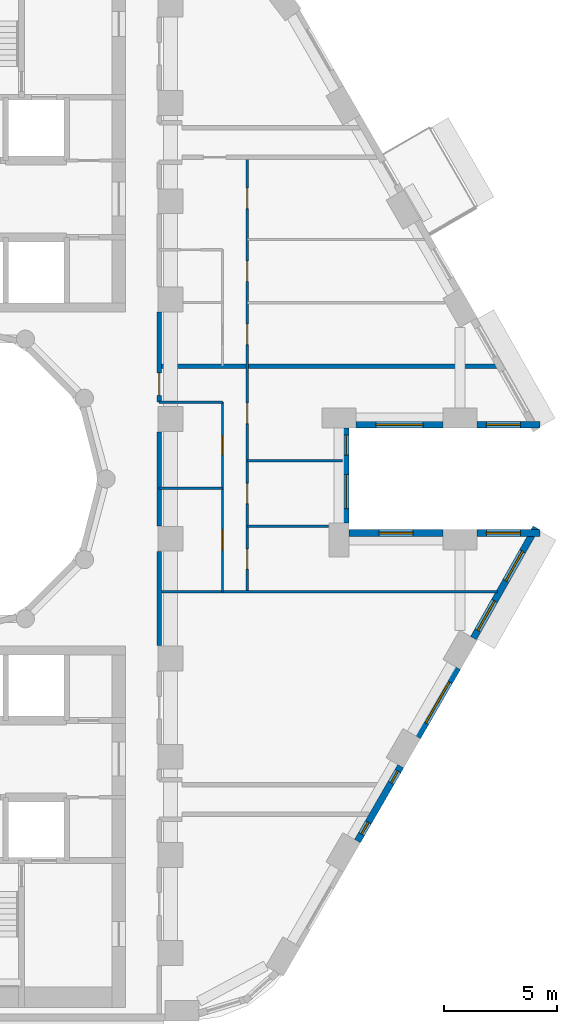
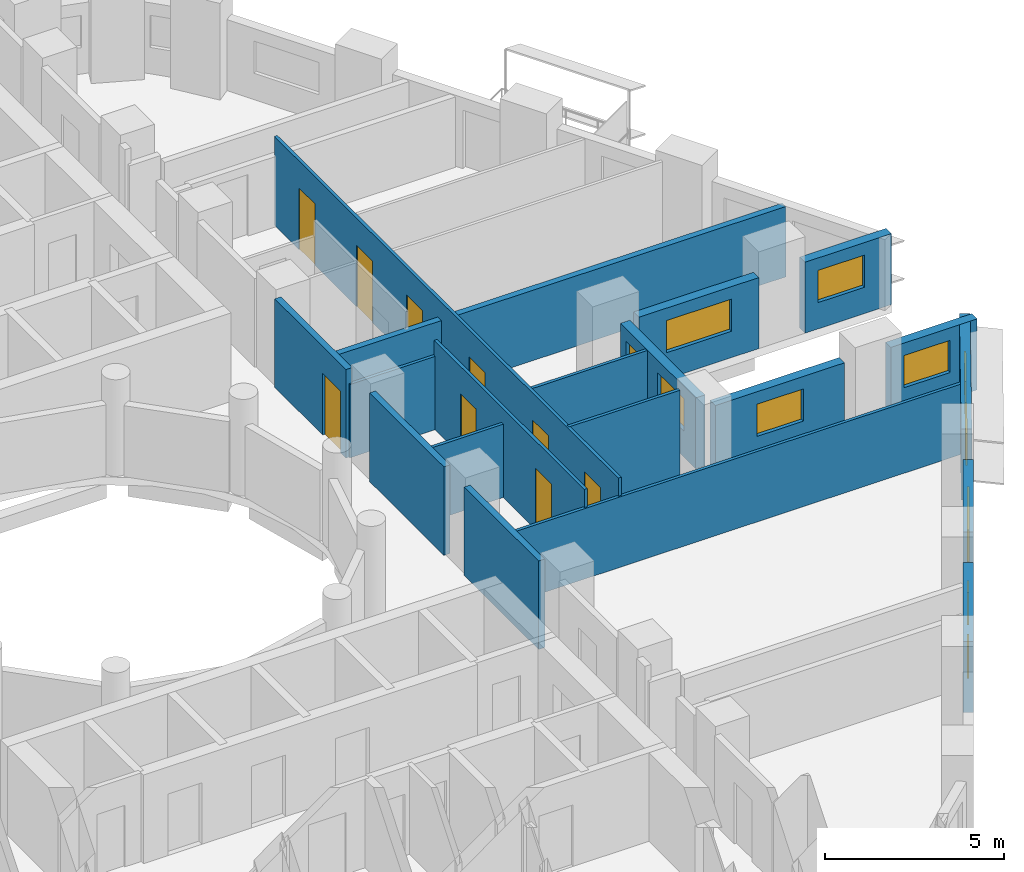
# One storey, part 6 of 13: 19 walls, 11 windows, 9 doors, 20 openings.
"""IFC4 building model written with IfcOpenShell, lengths in metres."""

from ifc_helpers import new_model, si_unit, direction, frame, frame_2d, origin, place, context, subcontext, project, spatial, rectangle, extrude, material, layer, layer_set, type_object, element, fill, save


model = new_model("IFC4")

# Units and contexts
model_context = context("Model", 3, precision=1e-05, world=origin(), true_north=direction((0.0, 1.0)))
body_context = subcontext(model_context, "Body", "Model", "MODEL_VIEW")
ifc_project = project(units=[si_unit("LENGTHUNIT", "METRE"), si_unit("AREAUNIT", "SQUARE_METRE"), si_unit("VOLUMEUNIT", "CUBIC_METRE"), si_unit("PLANEANGLEUNIT", "RADIAN"), si_unit("MASSUNIT", "GRAM", prefix="KILO")], contexts=[model_context])

# Site, building, storey
site_placement = place(None, origin())
site = spatial("IfcSite", under=ifc_project, at=site_placement, CompositionType="ELEMENT")
building_placement = place(site_placement, origin())
building = spatial("IfcBuilding", under=site, at=building_placement, Name="Nakaniwa Court", CompositionType="ELEMENT")
storey_placement = place(building_placement, frame((0.0, 0.0, 61.199951171875)))
storey = spatial("IfcBuildingStorey", under=building, at=storey_placement, Name="L16", CompositionType="ELEMENT", Elevation=61.199951171875)

# Walls
ifc_material_1 = material(Name="Acoustic double stud partition")
ifc_layer_1 = layer(ifc_material_1, 0.199951171875)
ifc_layer_set_1 = layer_set([ifc_layer_1], Name="Acoustic double stud partition")
wall_type_1 = type_object("IfcWallType", Name="Acoustic double stud partition 200", PredefinedType="PARTITIONING", material=ifc_layer_set_1)
for number, where, z_axis, x_axis, name in (
    (1, (89.5, 72.616943359375, 0.0), (0.0, 0.0, 1.0), (0.0, 1.0, 0.0), "Partition PW-076"),
    (2, (89.5, 77.9169921875, 0.0), (0.0, 0.0, 1.0), (0.0, 1.0, 0.0), "Partition PW-077"),
):
    element("IfcWall", number, at=place(storey_placement, frame(where, z_axis=z_axis, x_axis=x_axis)), inside=storey, type_object=wall_type_1, Name=name, PredefinedType="PARTITIONING", context=body_context, shape_type="SweptSolid", body=[
        extrude(rectangle(XDim=4.166015625, YDim=0.199951171875, at=frame_2d((2.0830078125, 0.0))), origin(), (0.0, 0.0, 1.0), 3.025146484375),
    ])

# Wall, opening, door
wall_1_placement = place(storey_placement, frame((89.5, 87.383056640625, 0.0), z_axis=(0.0, 0.0, 1.0), x_axis=(0.0, -1.0, 0.0)))
wall_1 = element("IfcWall", 3, at=wall_1_placement, inside=storey, type_object=wall_type_1, Name="Partition PW-078", PredefinedType="PARTITIONING", context=body_context, shape_type="SweptSolid", body=[
    extrude(rectangle(XDim=3.986083984375, YDim=0.199951171875, at=frame_2d((1.9931640625, 0.0))), origin(), (0.0, 0.0, 1.0), 3.025146484375),
])
opening_1_placement = place(wall_1_placement, frame((2.68310546875, 0.0, 0.0)))
opening_1 = element("IfcOpeningElement", 4, at=opening_1_placement, cuts=wall_1, Name="Opening D-01-01", PredefinedType="OPENING", context=body_context, shape_type="SweptSolid", body=[
    extrude(rectangle(XDim=1.0, YDim=2.10009765625, at=frame_2d((0.5, 1.050048828125))), frame((0.0, 0.10986328125, 0.0), z_axis=(0.0, -1.0, 0.0), x_axis=(1.0, 0.0, 0.0)), (0.0, 0.0, 1.0), 0.219970703125),
])
ifc_material_2 = material(Name="Solid core timber door set, black veneer", Category="wood")
door_type_1 = type_object("IfcDoorType", Name="Flat entrance door 1000", OperationType="NOTDEFINED", PredefinedType="DOOR", material=ifc_material_2)
door_1_placement = place(opening_1_placement, origin())
door_1 = element("IfcDoor", 5, at=door_1_placement, inside=storey, type_object=door_type_1, Name="Door D-01-01 L16-031", OperationType="SINGLE_SWING_RIGHT", OverallHeight=2.10009765625, OverallWidth=1.0, PredefinedType="DOOR", context=body_context, shape_type="SweptSolid", body=[
    extrude(rectangle(XDim=1.0, YDim=2.10009765625, at=frame_2d((0.5, 1.050048828125))), frame((0.0, 0.02490234375, 0.0), z_axis=(0.0, -1.0, 0.0), x_axis=(1.0, 0.0, 0.0)), (0.0, 0.0, 1.0), 0.050048828125),
])
fill(opening_1, door_1)

# Wall
wall_2_placement = place(storey_placement, frame((89.5, 85.0, 0.0), z_axis=(0.0, 0.0, 1.0), x_axis=(1.0, 0.0, 0.0)))
element("IfcWall", 6, at=wall_2_placement, inside=storey, type_object=wall_type_1, Name="Partition PW-119", PredefinedType="PARTITIONING", context=body_context, shape_type="SweptSolid", body=[
    extrude(rectangle(XDim=14.9794921875, YDim=0.199951171875, at=frame_2d((7.48974609375, 0.0))), origin(), (0.0, 0.0, 1.0), 2.405029296875),
])

# Wall, opening, window
ifc_material_3 = material(Name="Charcoal ceramic cladding")
ifc_layer_2 = layer(ifc_material_3, 0.02, Name="Ceramic cladding")
ifc_material_4 = material(Name="Ventilated air cavity")
ifc_layer_3 = layer(ifc_material_4, 0.04, ventilated=True, Name="Ventilated cavity")
ifc_material_5 = material(Name="Mineral wool insulation")
ifc_layer_4 = layer(ifc_material_5, 0.1, Name="Insulation")
ifc_material_6 = material(Name="Cement bonded sheathing board")
ifc_layer_5 = layer(ifc_material_6, 0.012, Name="Sheathing")
ifc_material_7 = material(Name="Cold-formed galvanised stud frame with mineral wool infill")
ifc_layer_6 = layer(ifc_material_7, 0.1, Name="Stud frame")
ifc_material_8 = material(Name="Fire-rated gypsum plasterboard lining")
ifc_layer_7 = layer(ifc_material_8, 0.028, Name="Lining")
ifc_layer_set_2 = layer_set([ifc_layer_2, ifc_layer_3, ifc_layer_4, ifc_layer_5, ifc_layer_6, ifc_layer_7], Name="Charcoal ceramic faced external wall system")
wall_type_2 = type_object("IfcWallType", Name="Black ceramic faced external wall 300", PredefinedType="SOLIDWALL", material=ifc_layer_set_2)
wall_3_placement = place(storey_placement, frame((98.204345703125, 82.39990234375, 0.0), z_axis=(0.0, 0.0, 1.0), x_axis=(1.0, 0.0, 0.0)))
wall_3 = element("IfcWall", 7, at=wall_3_placement, inside=storey, type_object=wall_type_2, Name="L16 external wall 00", PredefinedType="SOLIDWALL", context=body_context, shape_type="SweptSolid", body=[
    extrude(rectangle(XDim=3.87255859375, YDim=0.300048828125, at=frame_2d((1.936279296875, 0.0))), origin(), (0.0, 0.0, 1.0), 2.425048828125),
])
opening_2_placement = place(wall_3_placement, frame((0.88623046875, 0.0, 0.89990234375)))
opening_2 = element("IfcOpeningElement", 8, at=opening_2_placement, cuts=wall_3, Name="Opening W7.01", PredefinedType="OPENING", context=body_context, shape_type="SweptSolid", body=[
    extrude(rectangle(XDim=2.10009765625, YDim=1.10009765625, at=frame_2d((1.050048828125, 0.550048828125))), frame((0.0, 0.159912109375, 0.0), z_axis=(0.0, -1.0, 0.0), x_axis=(1.0, 0.0, 0.0)), (0.0, 0.0, 1.0), 0.320068359375),
])
ifc_material_9 = material(Name="Black anodised aluminium frame with dark low-E laminated double glazing", Category="aluminium")
window_type_1 = type_object("IfcWindowType", Name="Dark glass window 2100x1100 sill 900", PartitioningType="SINGLE_PANEL", PredefinedType="WINDOW", material=ifc_material_9)
window_1_placement = place(opening_2_placement, origin())
window_1 = element("IfcWindow", 9, at=window_1_placement, inside=storey, type_object=window_type_1, Name="L16 living window 00-0", OverallHeight=1.10009765625, OverallWidth=2.10009765625, PartitioningType="SINGLE_PANEL", PredefinedType="WINDOW", context=body_context, shape_type="SweptSolid", body=[
    extrude(rectangle(XDim=2.10009765625, YDim=1.10009765625, at=frame_2d((1.050048828125, 0.550048828125))), frame((0.0, 0.030029296875, 0.0), z_axis=(0.0, -1.0, 0.0), x_axis=(1.0, 0.0, 0.0)), (0.0, 0.0, 1.0), 0.06005859375),
])
fill(opening_2, window_1)

wall_4_placement = place(storey_placement, frame((103.56884765625, 82.39990234375, 0.0), z_axis=(0.0, 0.0, 1.0), x_axis=(1.0, 0.0, 0.0)))
wall_4 = element("IfcWall", 10, at=wall_4_placement, inside=storey, type_object=wall_type_2, Name="L16 external wall 01", PredefinedType="SOLIDWALL", context=body_context, shape_type="SweptSolid", body=[
    extrude(rectangle(XDim=2.787841796875, YDim=0.300048828125, at=frame_2d((1.39404296875, 0.0))), origin(), (0.0, 0.0, 1.0), 2.425048828125),
])
opening_3_placement = place(wall_4_placement, frame((0.4189453125, 0.0, 0.89990234375)))
opening_3 = element("IfcOpeningElement", 11, at=opening_3_placement, cuts=wall_4, Name="Opening W5.02", PredefinedType="OPENING", context=body_context, shape_type="SweptSolid", body=[
    extrude(rectangle(XDim=1.5, YDim=1.10009765625, at=frame_2d((0.75, 0.550048828125))), frame((0.0, 0.159912109375, 0.0), z_axis=(0.0, -1.0, 0.0), x_axis=(1.0, 0.0, 0.0)), (0.0, 0.0, 1.0), 0.320068359375),
])
window_type_2 = type_object("IfcWindowType", Name="Dark glass window 1500x1100 sill 900", PartitioningType="SINGLE_PANEL", PredefinedType="WINDOW", material=ifc_material_9)
window_2_placement = place(opening_3_placement, origin())
window_2 = element("IfcWindow", 12, at=window_2_placement, inside=storey, type_object=window_type_2, Name="L16 living window 01-0", OverallHeight=1.10009765625, OverallWidth=1.5, PartitioningType="SINGLE_PANEL", PredefinedType="WINDOW", context=body_context, shape_type="SweptSolid", body=[
    extrude(rectangle(XDim=1.5, YDim=1.10009765625, at=frame_2d((0.75, 0.550048828125))), frame((0.0, 0.030029296875, 0.0), z_axis=(0.0, -1.0, 0.0), x_axis=(1.0, 0.0, 0.0)), (0.0, 0.0, 1.0), 0.06005859375),
])
fill(opening_3, window_2)

# Wall, openings, windows
wall_5_placement = place(storey_placement, frame((98.2783203125, 63.958984375, 0.0), z_axis=(0.0, 0.0, 1.0), x_axis=(0.500001735503, 0.866024401789, 0.0)))
wall_5 = element("IfcWall", 13, at=wall_5_placement, inside=storey, type_object=wall_type_2, Name="L16 external wall 30", PredefinedType="SOLIDWALL", context=body_context, shape_type="SweptSolid", body=[
    extrude(rectangle(XDim=3.833984375, YDim=0.300048828125, at=frame_2d((1.9169921875, 0.0))), origin(), (0.0, 0.0, 1.0), 2.425048828125),
])
opening_4_placement = place(wall_5_placement, frame((0.363525390625, 0.0, 0.89990234375)))
opening_4 = element("IfcOpeningElement", 14, at=opening_4_placement, cuts=wall_5, Name="Opening W8.32", PredefinedType="OPENING", context=body_context, shape_type="SweptSolid", body=[
    extrude(rectangle(XDim=0.60009765625, YDim=1.10009765625, at=frame_2d((0.300048828125, 0.550048828125))), frame((0.0, 0.159912109375, 0.0), z_axis=(0.0, -1.0, 0.0), x_axis=(1.0, 0.0, 0.0)), (0.0, 0.0, 1.0), 0.320068359375),
])
opening_5_placement = place(wall_5_placement, frame((2.981201171875, 0.0, 0.89990234375)))
opening_5 = element("IfcOpeningElement", 15, at=opening_5_placement, cuts=wall_5, Name="Opening W8.33", PredefinedType="OPENING", context=body_context, shape_type="SweptSolid", body=[
    extrude(rectangle(XDim=0.60009765625, YDim=1.10009765625, at=frame_2d((0.300048828125, 0.550048828125))), frame((0.0, 0.159912109375, 0.0), z_axis=(0.0, -1.0, 0.0), x_axis=(1.0, 0.0, 0.0)), (0.0, 0.0, 1.0), 0.320068359375),
])
window_type_3 = type_object("IfcWindowType", Name="Dark glass window 600x1100 sill 900", PartitioningType="SINGLE_PANEL", PredefinedType="WINDOW", material=ifc_material_9)
window_3_placement = place(opening_4_placement, origin())
window_3 = element("IfcWindow", 16, at=window_3_placement, inside=storey, type_object=window_type_3, Name="L16 habitable room window 30-0", OverallHeight=1.10009765625, OverallWidth=0.60009765625, PartitioningType="SINGLE_PANEL", PredefinedType="WINDOW", context=body_context, shape_type="SweptSolid", body=[
    extrude(rectangle(XDim=0.60009765625, YDim=1.10009765625, at=frame_2d((0.300048828125, 0.550048828125))), frame((0.0, 0.030029296875, 0.0), z_axis=(0.0, -1.0, 0.0), x_axis=(1.0, 0.0, 0.0)), (0.0, 0.0, 1.0), 0.06005859375),
])
fill(opening_4, window_3)
window_4_placement = place(opening_5_placement, origin())
window_4 = element("IfcWindow", 17, at=window_4_placement, inside=storey, type_object=window_type_3, Name="L16 habitable room window 30-2", OverallHeight=1.10009765625, OverallWidth=0.60009765625, PartitioningType="SINGLE_PANEL", PredefinedType="WINDOW", context=body_context, shape_type="SweptSolid", body=[
    extrude(rectangle(XDim=0.60009765625, YDim=1.10009765625, at=frame_2d((0.300048828125, 0.550048828125))), frame((0.0, 0.030029296875, 0.0), z_axis=(0.0, -1.0, 0.0), x_axis=(1.0, 0.0, 0.0)), (0.0, 0.0, 1.0), 0.06005859375),
])
fill(opening_5, window_4)

# Wall, opening, window
wall_6_placement = place(storey_placement, frame((100.94140625, 68.5712890625, 0.0), z_axis=(0.0, 0.0, 1.0), x_axis=(0.499977402622, 0.866038449993, 0.0)))
wall_6 = element("IfcWall", 18, at=wall_6_placement, inside=storey, type_object=wall_type_2, Name="L16 external wall 31", PredefinedType="SOLIDWALL", context=body_context, shape_type="SweptSolid", body=[
    extrude(rectangle(XDim=3.536865234375, YDim=0.300048828125, at=frame_2d((1.7685546875, 0.0))), origin(), (0.0, 0.0, 1.0), 2.425048828125),
])
opening_6_placement = place(wall_6_placement, frame((0.718505859375, 0.0, 0.89990234375)))
opening_6 = element("IfcOpeningElement", 19, at=opening_6_placement, cuts=wall_6, Name="Opening W7.34", PredefinedType="OPENING", context=body_context, shape_type="SweptSolid", body=[
    extrude(rectangle(XDim=2.10009765625, YDim=1.10009765625, at=frame_2d((1.050048828125, 0.550048828125))), frame((0.0, 0.159912109375, 0.0), z_axis=(0.0, -1.0, 0.0), x_axis=(1.0, 0.0, 0.0)), (0.0, 0.0, 1.0), 0.320068359375),
])
window_5_placement = place(opening_6_placement, origin())
window_5 = element("IfcWindow", 20, at=window_5_placement, inside=storey, type_object=window_type_1, Name="L16 habitable room window 31-0", OverallHeight=1.10009765625, OverallWidth=2.10009765625, PartitioningType="SINGLE_PANEL", PredefinedType="WINDOW", context=body_context, shape_type="SweptSolid", body=[
    extrude(rectangle(XDim=2.10009765625, YDim=1.10009765625, at=frame_2d((1.050048828125, 0.550048828125))), frame((0.0, 0.030029296875, 0.0), z_axis=(0.0, -1.0, 0.0), x_axis=(1.0, 0.0, 0.0)), (0.0, 0.0, 1.0), 0.06005859375),
])
fill(opening_6, window_5)

# Wall, openings, windows
wall_7_placement = place(storey_placement, frame((103.415771484375, 72.949462890625, 0.0), z_axis=(0.0, 0.0, 1.0), x_axis=(0.492363204642, 0.870389840655, 0.0)))
wall_7 = element("IfcWall", 21, at=wall_7_placement, inside=storey, type_object=wall_type_2, Name="L16 external wall 32", PredefinedType="SOLIDWALL", context=body_context, shape_type="SweptSolid", body=[
    extrude(rectangle(XDim=5.62646484375, YDim=0.300048828125, at=frame_2d((2.813232421875, 0.0))), origin(), (0.0, 0.0, 1.0), 2.425048828125),
])
opening_7_placement = place(wall_7_placement, frame((0.392578125, 0.0, 0.89990234375)))
opening_7 = element("IfcOpeningElement", 22, at=opening_7_placement, cuts=wall_7, Name="Opening W5.35", PredefinedType="OPENING", context=body_context, shape_type="SweptSolid", body=[
    extrude(rectangle(XDim=1.5, YDim=1.10009765625, at=frame_2d((0.75, 0.550048828125))), frame((0.0, 0.159912109375, 0.0), z_axis=(0.0, -1.0, 0.0), x_axis=(1.0, 0.0, 0.0)), (0.0, 0.0, 1.0), 0.320068359375),
])
opening_8_placement = place(wall_7_placement, frame((2.917236328125, 0.0, 0.89990234375)))
opening_8 = element("IfcOpeningElement", 23, at=opening_8_placement, cuts=wall_7, Name="Opening W5.36", PredefinedType="OPENING", context=body_context, shape_type="SweptSolid", body=[
    extrude(rectangle(XDim=1.5, YDim=1.10009765625, at=frame_2d((0.75, 0.550048828125))), frame((0.0, 0.159912109375, 0.0), z_axis=(0.0, -1.0, 0.0), x_axis=(1.0, 0.0, 0.0)), (0.0, 0.0, 1.0), 0.320068359375),
])
window_6_placement = place(opening_7_placement, origin())
window_6 = element("IfcWindow", 24, at=window_6_placement, inside=storey, type_object=window_type_2, Name="L16 habitable room window 32-0", OverallHeight=1.10009765625, OverallWidth=1.5, PartitioningType="SINGLE_PANEL", PredefinedType="WINDOW", context=body_context, shape_type="SweptSolid", body=[
    extrude(rectangle(XDim=1.5, YDim=1.10009765625, at=frame_2d((0.75, 0.550048828125))), frame((0.0, 0.030029296875, 0.0), z_axis=(0.0, -1.0, 0.0), x_axis=(1.0, 0.0, 0.0)), (0.0, 0.0, 1.0), 0.06005859375),
])
fill(opening_7, window_6)
window_7_placement = place(opening_8_placement, origin())
window_7 = element("IfcWindow", 25, at=window_7_placement, inside=storey, type_object=window_type_2, Name="L16 bedroom window 32-1", OverallHeight=1.10009765625, OverallWidth=1.5, PartitioningType="SINGLE_PANEL", PredefinedType="WINDOW", context=body_context, shape_type="SweptSolid", body=[
    extrude(rectangle(XDim=1.5, YDim=1.10009765625, at=frame_2d((0.75, 0.550048828125))), frame((0.0, 0.030029296875, 0.0), z_axis=(0.0, -1.0, 0.0), x_axis=(1.0, 0.0, 0.0)), (0.0, 0.0, 1.0), 0.06005859375),
])
fill(opening_8, window_7)

# Wall, opening, window
wall_8_placement = place(storey_placement, frame((106.356689453125, 77.60009765625, 0.0), z_axis=(0.0, 0.0, 1.0), x_axis=(-1.0, 0.0, 0.0)))
wall_8 = element("IfcWall", 26, at=wall_8_placement, inside=storey, type_object=wall_type_2, Name="L16 external wall 33", PredefinedType="SOLIDWALL", context=body_context, shape_type="SweptSolid", body=[
    extrude(rectangle(XDim=2.787841796875, YDim=0.300048828125, at=frame_2d((1.39404296875, 0.0))), origin(), (0.0, 0.0, 1.0), 2.425048828125),
])
opening_9_placement = place(wall_8_placement, frame((0.868896484375, 0.0, 0.89990234375)))
opening_9 = element("IfcOpeningElement", 27, at=opening_9_placement, cuts=wall_8, Name="Opening W5.37", PredefinedType="OPENING", context=body_context, shape_type="SweptSolid", body=[
    extrude(rectangle(XDim=1.5, YDim=1.10009765625, at=frame_2d((0.75, 0.550048828125))), frame((0.0, 0.159912109375, 0.0), z_axis=(0.0, -1.0, 0.0), x_axis=(1.0, 0.0, 0.0)), (0.0, 0.0, 1.0), 0.320068359375),
])
window_8_placement = place(opening_9_placement, origin())
window_8 = element("IfcWindow", 28, at=window_8_placement, inside=storey, type_object=window_type_2, Name="L16 bedroom window 33-0", OverallHeight=1.10009765625, OverallWidth=1.5, PartitioningType="SINGLE_PANEL", PredefinedType="WINDOW", context=body_context, shape_type="SweptSolid", body=[
    extrude(rectangle(XDim=1.5, YDim=1.10009765625, at=frame_2d((0.75, 0.550048828125))), frame((0.0, 0.030029296875, 0.0), z_axis=(0.0, -1.0, 0.0), x_axis=(1.0, 0.0, 0.0)), (0.0, 0.0, 1.0), 0.06005859375),
])
fill(opening_9, window_8)

wall_9_placement = place(storey_placement, frame((102.076904296875, 77.60009765625, 0.0), z_axis=(0.0, 0.0, 1.0), x_axis=(-1.0, 0.0, 0.0)))
wall_9 = element("IfcWall", 29, at=wall_9_placement, inside=storey, type_object=wall_type_2, Name="L16 external wall 34", PredefinedType="SOLIDWALL", context=body_context, shape_type="SweptSolid", body=[
    extrude(rectangle(XDim=4.172607421875, YDim=0.300048828125, at=frame_2d((2.08642578125, 0.0))), origin(), (0.0, 0.0, 1.0), 2.425048828125),
])
opening_10_placement = place(wall_9_placement, frame((1.336181640625, 0.0, 0.89990234375)))
opening_10 = element("IfcOpeningElement", 30, at=opening_10_placement, cuts=wall_9, Name="Opening W5.38", PredefinedType="OPENING", context=body_context, shape_type="SweptSolid", body=[
    extrude(rectangle(XDim=1.5, YDim=1.10009765625, at=frame_2d((0.75, 0.550048828125))), frame((0.0, 0.159912109375, 0.0), z_axis=(0.0, -1.0, 0.0), x_axis=(1.0, 0.0, 0.0)), (0.0, 0.0, 1.0), 0.320068359375),
])
window_9_placement = place(opening_10_placement, origin())
window_9 = element("IfcWindow", 31, at=window_9_placement, inside=storey, type_object=window_type_2, Name="L16 bedroom window 34-0", OverallHeight=1.10009765625, OverallWidth=1.5, PartitioningType="SINGLE_PANEL", PredefinedType="WINDOW", context=body_context, shape_type="SweptSolid", body=[
    extrude(rectangle(XDim=1.5, YDim=1.10009765625, at=frame_2d((0.75, 0.550048828125))), frame((0.0, 0.030029296875, 0.0), z_axis=(0.0, -1.0, 0.0), x_axis=(1.0, 0.0, 0.0)), (0.0, 0.0, 1.0), 0.06005859375),
])
fill(opening_10, window_9)

# Wall, openings, windows
wall_10_placement = place(storey_placement, frame((97.75830078125, 78.0458984375, 0.0), z_axis=(0.0, 0.0, 1.0), x_axis=(0.0, 1.0, 0.0)))
wall_10 = element("IfcWall", 32, at=wall_10_placement, inside=storey, type_object=wall_type_2, Name="L16 external wall 35", PredefinedType="SOLIDWALL", context=body_context, shape_type="SweptSolid", body=[
    extrude(rectangle(XDim=4.2080078125, YDim=0.300048828125, at=frame_2d((2.10400390625, 0.0))), origin(), (0.0, 0.0, 1.0), 2.425048828125),
])
opening_11_placement = place(wall_10_placement, frame((0.64208984375, 0.0, 0.89990234375)))
opening_11 = element("IfcOpeningElement", 33, at=opening_11_placement, cuts=wall_10, Name="Opening W5.39", PredefinedType="OPENING", context=body_context, shape_type="SweptSolid", body=[
    extrude(rectangle(XDim=1.5, YDim=1.10009765625, at=frame_2d((0.75, 0.550048828125))), frame((0.0, 0.159912109375, 0.0), z_axis=(0.0, -1.0, 0.0), x_axis=(1.0, 0.0, 0.0)), (0.0, 0.0, 1.0), 0.320068359375),
])
opening_12_placement = place(wall_10_placement, frame((3.00927734375, 0.0, 0.89990234375)))
opening_12 = element("IfcOpeningElement", 34, at=opening_12_placement, cuts=wall_10, Name="Opening W9.40", PredefinedType="OPENING", context=body_context, shape_type="SweptSolid", body=[
    extrude(rectangle(XDim=0.89990234375, YDim=1.10009765625, at=frame_2d((0.449951171875, 0.550048828125))), frame((0.0, 0.159912109375, 0.0), z_axis=(0.0, -1.0, 0.0), x_axis=(1.0, 0.0, 0.0)), (0.0, 0.0, 1.0), 0.320068359375),
])
window_10_placement = place(opening_11_placement, origin())
window_10 = element("IfcWindow", 35, at=window_10_placement, inside=storey, type_object=window_type_2, Name="L16 bedroom window 35-0", OverallHeight=1.10009765625, OverallWidth=1.5, PartitioningType="SINGLE_PANEL", PredefinedType="WINDOW", context=body_context, shape_type="SweptSolid", body=[
    extrude(rectangle(XDim=1.5, YDim=1.10009765625, at=frame_2d((0.75, 0.550048828125))), frame((0.0, 0.030029296875, 0.0), z_axis=(0.0, -1.0, 0.0), x_axis=(1.0, 0.0, 0.0)), (0.0, 0.0, 1.0), 0.06005859375),
])
fill(opening_11, window_10)
window_type_4 = type_object("IfcWindowType", Name="Dark glass window 900x1100 sill 900", PartitioningType="SINGLE_PANEL", PredefinedType="WINDOW", material=ifc_material_9)
window_11_placement = place(opening_12_placement, origin())
window_11 = element("IfcWindow", 36, at=window_11_placement, inside=storey, type_object=window_type_4, Name="L16 living window 35-1", OverallHeight=1.10009765625, OverallWidth=0.89990234375, PartitioningType="SINGLE_PANEL", PredefinedType="WINDOW", context=body_context, shape_type="SweptSolid", body=[
    extrude(rectangle(XDim=0.89990234375, YDim=1.10009765625, at=frame_2d((0.449951171875, 0.550048828125))), frame((0.0, 0.030029296875, 0.0), z_axis=(0.0, -1.0, 0.0), x_axis=(1.0, 0.0, 0.0)), (0.0, 0.0, 1.0), 0.06005859375),
])
fill(opening_12, window_11)

# Walls
ifc_material_10 = material(Name="Single stud plasterboard partition")
ifc_layer_8 = layer(ifc_material_10, 0.10009765625)
ifc_layer_set_3 = layer_set([ifc_layer_8], Name="Single stud plasterboard partition")
wall_type_3 = type_object("IfcWallType", Name="Single stud plasterboard partition 100", PredefinedType="PARTITIONING", material=ifc_layer_set_3)
wall_11_placement = place(storey_placement, frame((89.5, 75.0, 0.0), z_axis=(0.0, 0.0, 1.0), x_axis=(1.0, 0.0, 0.0)))
element("IfcWall", 37, at=wall_11_placement, inside=storey, type_object=wall_type_3, Name="Partition PW-113", PredefinedType="PARTITIONING", context=body_context, shape_type="SweptSolid", body=[
    extrude(rectangle(XDim=14.9794921875, YDim=0.10009765625, at=frame_2d((7.48974609375, 0.0))), origin(), (0.0, 0.0, 1.0), 2.405029296875),
])
wall_12_placement = place(storey_placement, frame((89.5, 79.58203125, 0.0), z_axis=(0.0, 0.0, 1.0), x_axis=(1.0, 0.0, 0.0)))
element("IfcWall", 38, at=wall_12_placement, inside=storey, type_object=wall_type_3, Name="Partition PW-114", PredefinedType="PARTITIONING", context=body_context, shape_type="SweptSolid", body=[
    extrude(rectangle(XDim=2.800048828125, YDim=0.10009765625, at=frame_2d((1.39990234375, 0.0))), origin(), (0.0, 0.0, 1.0), 2.505126953125),
])

# Wall, openings, doors
wall_13_placement = place(storey_placement, frame((92.300048828125, 75.0, 0.0), z_axis=(0.0, 0.0, 1.0), x_axis=(0.0, 1.0, 0.0)))
wall_13 = element("IfcWall", 39, at=wall_13_placement, inside=storey, type_object=wall_type_3, Name="Partition PW-115", PredefinedType="PARTITIONING", context=body_context, shape_type="SweptSolid", body=[
    extrude(rectangle(XDim=8.39990234375, YDim=0.10009765625, at=frame_2d((4.199951171875, 0.0))), origin(), (0.0, 0.0, 1.0), 3.025146484375),
])
opening_13_placement = place(wall_13_placement, frame((1.841064453125, 0.0, 0.0)))
opening_13 = element("IfcOpeningElement", 40, at=opening_13_placement, cuts=wall_13, Name="Opening D-33-01", PredefinedType="OPENING", context=body_context, shape_type="SweptSolid", body=[
    extrude(rectangle(XDim=0.89990234375, YDim=2.10009765625, at=frame_2d((0.449951171875, 1.050048828125))), frame((0.0, 0.06005859375, 0.0), z_axis=(0.0, -1.0, 0.0), x_axis=(1.0, 0.0, 0.0)), (0.0, 0.0, 1.0), 0.1201171875),
])
opening_14_placement = place(wall_13_placement, frame((6.06591796875, 0.0, 0.0)))
opening_14 = element("IfcOpeningElement", 41, at=opening_14_placement, cuts=wall_13, Name="Opening D-03-01", PredefinedType="OPENING", context=body_context, shape_type="SweptSolid", body=[
    extrude(rectangle(XDim=0.85009765625, YDim=2.10009765625, at=frame_2d((0.425048828125, 1.050048828125))), frame((0.0, 0.06005859375, 0.0), z_axis=(0.0, -1.0, 0.0), x_axis=(1.0, 0.0, 0.0)), (0.0, 0.0, 1.0), 0.1201171875),
])
ifc_material_11 = material(Name="Moisture sealed timber door set", Category="wood")
door_type_2 = type_object("IfcDoorType", Name="Bathroom door 850", OperationType="NOTDEFINED", PredefinedType="DOOR", material=ifc_material_11)
door_2_placement = place(opening_14_placement, origin())
door_2 = element("IfcDoor", 42, at=door_2_placement, inside=storey, type_object=door_type_2, Name="Door D-03-01 L16-033", OperationType="SINGLE_SWING_RIGHT", OverallHeight=2.10009765625, OverallWidth=0.85009765625, PredefinedType="DOOR", context=body_context, shape_type="SweptSolid", body=[
    extrude(rectangle(XDim=0.85009765625, YDim=2.10009765625, at=frame_2d((0.425048828125, 1.050048828125))), frame((0.0, 0.02490234375, 0.0), z_axis=(0.0, -1.0, 0.0), x_axis=(1.0, 0.0, 0.0)), (0.0, 0.0, 1.0), 0.050048828125),
])
fill(opening_14, door_2)
door_type_3 = type_object("IfcDoorType", Name="Internal door 900", OperationType="NOTDEFINED", PredefinedType="DOOR", material=ifc_material_2)
door_3_placement = place(opening_13_placement, origin())
door_3 = element("IfcDoor", 43, at=door_3_placement, inside=storey, type_object=door_type_3, Name="Door D-33-01 L16-032", OperationType="SINGLE_SWING_LEFT", OverallHeight=2.10009765625, OverallWidth=0.89990234375, PredefinedType="DOOR", context=body_context, shape_type="SweptSolid", body=[
    extrude(rectangle(XDim=0.89990234375, YDim=2.10009765625, at=frame_2d((0.449951171875, 1.050048828125))), frame((0.0, 0.02490234375, 0.0), z_axis=(0.0, -1.0, 0.0), x_axis=(1.0, 0.0, 0.0)), (0.0, 0.0, 1.0), 0.050048828125),
])
fill(opening_13, door_3)

# Wall
wall_14_placement = place(storey_placement, frame((89.5, 83.39990234375, 0.0), z_axis=(0.0, 0.0, 1.0), x_axis=(1.0, 0.0, 0.0)))
element("IfcWall", 44, at=wall_14_placement, inside=storey, type_object=wall_type_3, Name="Partition PW-117", PredefinedType="PARTITIONING", context=body_context, shape_type="SweptSolid", body=[
    extrude(rectangle(XDim=2.800048828125, YDim=0.10009765625, at=frame_2d((1.39990234375, 0.0))), origin(), (0.0, 0.0, 1.0), 2.505126953125),
])

# Wall, openings, doors
wall_15_placement = place(storey_placement, frame((93.39990234375, 94.25, 0.0), z_axis=(0.0, 0.0, 1.0), x_axis=(0.0, -1.0, 0.0)))
wall_15 = element("IfcWall", 45, at=wall_15_placement, inside=storey, type_object=wall_type_3, Name="Partition PW-118", PredefinedType="PARTITIONING", context=body_context, shape_type="SweptSolid", body=[
    extrude(rectangle(XDim=19.25, YDim=0.10009765625, at=frame_2d((9.625, 0.0))), origin(), (0.0, 0.0, 1.0), 3.025146484375),
])
opening_15_placement = place(wall_15_placement, frame((17.347900390625, 0.0, 0.0)))
opening_15 = element("IfcOpeningElement", 46, at=opening_15_placement, cuts=wall_15, Name="Opening D-33-02", PredefinedType="OPENING", context=body_context, shape_type="SweptSolid", body=[
    extrude(rectangle(XDim=0.89990234375, YDim=2.10009765625, at=frame_2d((0.449951171875, 1.050048828125))), frame((0.0, 0.06005859375, 0.0), z_axis=(0.0, -1.0, 0.0), x_axis=(1.0, 0.0, 0.0)), (0.0, 0.0, 1.0), 0.1201171875),
])
opening_16_placement = place(wall_15_placement, frame((14.445068359375, 0.0, 0.0)))
opening_16 = element("IfcOpeningElement", 47, at=opening_16_placement, cuts=wall_15, Name="Opening D-33-03", PredefinedType="OPENING", context=body_context, shape_type="SweptSolid", body=[
    extrude(rectangle(XDim=0.89990234375, YDim=2.10009765625, at=frame_2d((0.449951171875, 1.050048828125))), frame((0.0, 0.06005859375, 0.0), z_axis=(0.0, -1.0, 0.0), x_axis=(1.0, 0.0, 0.0)), (0.0, 0.0, 1.0), 0.1201171875),
])
opening_17_placement = place(wall_15_placement, frame((10.89697265625, 0.0, 0.0)))
opening_17 = element("IfcOpeningElement", 48, at=opening_17_placement, cuts=wall_15, Name="Opening D-33-04", PredefinedType="OPENING", context=body_context, shape_type="SweptSolid", body=[
    extrude(rectangle(XDim=0.89990234375, YDim=2.10009765625, at=frame_2d((0.449951171875, 1.050048828125))), frame((0.0, 0.06005859375, 0.0), z_axis=(0.0, -1.0, 0.0), x_axis=(1.0, 0.0, 0.0)), (0.0, 0.0, 1.0), 0.1201171875),
])
opening_18_placement = place(wall_15_placement, frame((7.39990234375, 0.0, 0.0)))
opening_18 = element("IfcOpeningElement", 49, at=opening_18_placement, cuts=wall_15, Name="Opening D-33-06", PredefinedType="OPENING", context=body_context, shape_type="SweptSolid", body=[
    extrude(rectangle(XDim=0.89990234375, YDim=2.10009765625, at=frame_2d((0.449951171875, 1.050048828125))), frame((0.0, 0.06005859375, 0.0), z_axis=(0.0, -1.0, 0.0), x_axis=(1.0, 0.0, 0.0)), (0.0, 0.0, 1.0), 0.1201171875),
])
opening_19_placement = place(wall_15_placement, frame((4.60009765625, 0.0, 0.0)))
opening_19 = element("IfcOpeningElement", 50, at=opening_19_placement, cuts=wall_15, Name="Opening D-33-07", PredefinedType="OPENING", context=body_context, shape_type="SweptSolid", body=[
    extrude(rectangle(XDim=0.89990234375, YDim=2.10009765625, at=frame_2d((0.449951171875, 1.050048828125))), frame((0.0, 0.06005859375, 0.0), z_axis=(0.0, -1.0, 0.0), x_axis=(1.0, 0.0, 0.0)), (0.0, 0.0, 1.0), 0.1201171875),
])
opening_20_placement = place(wall_15_placement, frame((1.375, 0.0, 0.0)))
opening_20 = element("IfcOpeningElement", 51, at=opening_20_placement, cuts=wall_15, Name="Opening D-33-08", PredefinedType="OPENING", context=body_context, shape_type="SweptSolid", body=[
    extrude(rectangle(XDim=0.89990234375, YDim=2.10009765625, at=frame_2d((0.449951171875, 1.050048828125))), frame((0.0, 0.06005859375, 0.0), z_axis=(0.0, -1.0, 0.0), x_axis=(1.0, 0.0, 0.0)), (0.0, 0.0, 1.0), 0.1201171875),
])
door_4_placement = place(opening_15_placement, origin())
door_4 = element("IfcDoor", 52, at=door_4_placement, inside=storey, type_object=door_type_3, Name="Door D-33-02 L16-034", OperationType="SINGLE_SWING_LEFT", OverallHeight=2.10009765625, OverallWidth=0.89990234375, PredefinedType="DOOR", context=body_context, shape_type="SweptSolid", body=[
    extrude(rectangle(XDim=0.89990234375, YDim=2.10009765625, at=frame_2d((0.449951171875, 1.050048828125))), frame((0.0, 0.02490234375, 0.0), z_axis=(0.0, -1.0, 0.0), x_axis=(1.0, 0.0, 0.0)), (0.0, 0.0, 1.0), 0.050048828125),
])
fill(opening_15, door_4)
door_5_placement = place(opening_16_placement, origin())
door_5 = element("IfcDoor", 53, at=door_5_placement, inside=storey, type_object=door_type_3, Name="Door D-33-03 L16-035", OperationType="SINGLE_SWING_RIGHT", OverallHeight=2.10009765625, OverallWidth=0.89990234375, PredefinedType="DOOR", context=body_context, shape_type="SweptSolid", body=[
    extrude(rectangle(XDim=0.89990234375, YDim=2.10009765625, at=frame_2d((0.449951171875, 1.050048828125))), frame((0.0, 0.02490234375, 0.0), z_axis=(0.0, -1.0, 0.0), x_axis=(1.0, 0.0, 0.0)), (0.0, 0.0, 1.0), 0.050048828125),
])
fill(opening_16, door_5)
door_6_placement = place(opening_17_placement, origin())
door_6 = element("IfcDoor", 54, at=door_6_placement, inside=storey, type_object=door_type_3, Name="Door D-33-04 L16-036", OperationType="SINGLE_SWING_LEFT", OverallHeight=2.10009765625, OverallWidth=0.89990234375, PredefinedType="DOOR", context=body_context, shape_type="SweptSolid", body=[
    extrude(rectangle(XDim=0.89990234375, YDim=2.10009765625, at=frame_2d((0.449951171875, 1.050048828125))), frame((0.0, 0.02490234375, 0.0), z_axis=(0.0, -1.0, 0.0), x_axis=(1.0, 0.0, 0.0)), (0.0, 0.0, 1.0), 0.050048828125),
])
fill(opening_17, door_6)
door_7_placement = place(opening_18_placement, origin())
door_7 = element("IfcDoor", 55, at=door_7_placement, inside=storey, type_object=door_type_3, Name="Door D-33-06 L16-040", OperationType="SINGLE_SWING_LEFT", OverallHeight=2.10009765625, OverallWidth=0.89990234375, PredefinedType="DOOR", context=body_context, shape_type="SweptSolid", body=[
    extrude(rectangle(XDim=0.89990234375, YDim=2.10009765625, at=frame_2d((0.449951171875, 1.050048828125))), frame((0.0, 0.02490234375, 0.0), z_axis=(0.0, -1.0, 0.0), x_axis=(1.0, 0.0, 0.0)), (0.0, 0.0, 1.0), 0.050048828125),
])
fill(opening_18, door_7)
door_8_placement = place(opening_19_placement, origin())
door_8 = element("IfcDoor", 56, at=door_8_placement, inside=storey, type_object=door_type_3, Name="Door D-33-07 L16-041", OperationType="SINGLE_SWING_RIGHT", OverallHeight=2.10009765625, OverallWidth=0.89990234375, PredefinedType="DOOR", context=body_context, shape_type="SweptSolid", body=[
    extrude(rectangle(XDim=0.89990234375, YDim=2.10009765625, at=frame_2d((0.449951171875, 1.050048828125))), frame((0.0, 0.02490234375, 0.0), z_axis=(0.0, -1.0, 0.0), x_axis=(1.0, 0.0, 0.0)), (0.0, 0.0, 1.0), 0.050048828125),
])
fill(opening_19, door_8)
door_9_placement = place(opening_20_placement, origin())
door_9 = element("IfcDoor", 57, at=door_9_placement, inside=storey, type_object=door_type_3, Name="Door D-33-08 L16-042", OperationType="SINGLE_SWING_LEFT", OverallHeight=2.10009765625, OverallWidth=0.89990234375, PredefinedType="DOOR", context=body_context, shape_type="SweptSolid", body=[
    extrude(rectangle(XDim=0.89990234375, YDim=2.10009765625, at=frame_2d((0.449951171875, 1.050048828125))), frame((0.0, 0.02490234375, 0.0), z_axis=(0.0, -1.0, 0.0), x_axis=(1.0, 0.0, 0.0)), (0.0, 0.0, 1.0), 0.050048828125),
])
fill(opening_20, door_9)

# Walls
wall_16_placement = place(storey_placement, frame((93.39990234375, 77.903076171875, 0.0), z_axis=(0.0, 0.0, 1.0), x_axis=(1.0, 0.0, 0.0)))
element("IfcWall", 58, at=wall_16_placement, inside=storey, type_object=wall_type_3, Name="Partition PW-120", PredefinedType="PARTITIONING", context=body_context, shape_type="SweptSolid", body=[
    extrude(rectangle(XDim=3.58837890625, YDim=0.10009765625, at=frame_2d((1.794189453125, 0.0))), origin(), (0.0, 0.0, 1.0), 3.025146484375),
])
wall_17_placement = place(storey_placement, frame((93.39990234375, 80.805908203125, 0.0), z_axis=(0.0, 0.0, 1.0), x_axis=(1.0, 0.0, 0.0)))
element("IfcWall", 59, at=wall_17_placement, inside=storey, type_object=wall_type_3, Name="Partition PW-121", PredefinedType="PARTITIONING", context=body_context, shape_type="SweptSolid", body=[
    extrude(rectangle(XDim=4.20849609375, YDim=0.10009765625, at=frame_2d((2.104248046875, 0.0))), origin(), (0.0, 0.0, 1.0), 2.405029296875),
])

save(model, "model.ifc")
